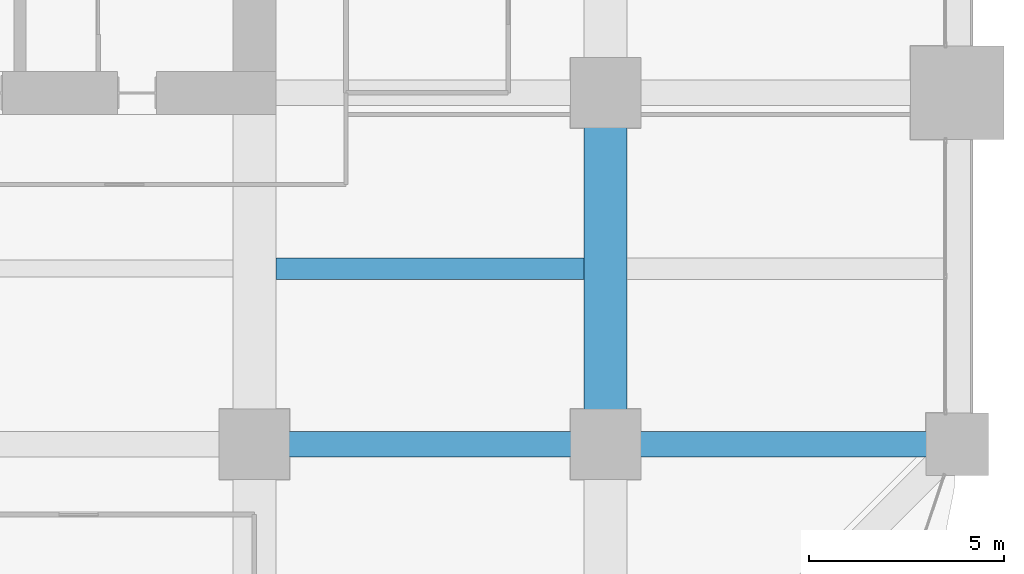
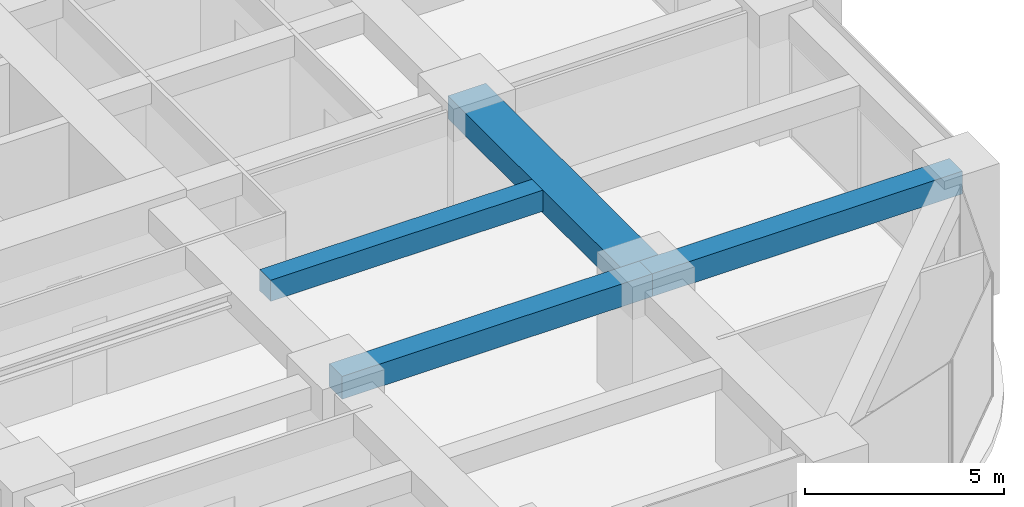
# One storey, part 18 of 39: 4 beams.
"""IFC4 building model written with IfcOpenShell, lengths in metres."""

from ifc_helpers import new_model, si_unit, direction, frame, origin, origin_2d, place, context, subcontext, project, spatial, rectangle, extrude, material, material_profile, profile_set, type_object, element, save


model = new_model("IFC4")

# Units and contexts
model_context = context("Model", 3, precision=1e-05, world=origin(), true_north=direction((0.0, 1.0)))
body_context = subcontext(model_context, "Body", "Model", "MODEL_VIEW")
ifc_project = project(units=[si_unit("LENGTHUNIT", "METRE"), si_unit("AREAUNIT", "SQUARE_METRE"), si_unit("VOLUMEUNIT", "CUBIC_METRE"), si_unit("PLANEANGLEUNIT", "RADIAN"), si_unit("MASSUNIT", "GRAM", prefix="KILO")], contexts=[model_context])

# Site, building, storey
site_placement = place(None, origin())
site = spatial("IfcSite", under=ifc_project, at=site_placement, CompositionType="ELEMENT")
building_placement = place(site_placement, origin())
building = spatial("IfcBuilding", under=site, at=building_placement, Name="Zorevar Civic Tower", CompositionType="ELEMENT")
storey_placement = place(building_placement, frame((0.0, 0.0, 125.0)))
storey = spatial("IfcBuildingStorey", under=building, at=storey_placement, Name="L30", CompositionType="ELEMENT", Elevation=125.0)

# Beams
ifc_material_1 = material(Name="Concrete C50/60", Category="concrete")
ifc_material_profile_1 = material_profile(ifc_material_1, rectangle(XDim=1.10009765625, YDim=0.699951171875, at=origin_2d()), Name="RC 1100x700")
ifc_profile_set_1 = profile_set([ifc_material_profile_1], Name="Concrete C50/60")
beam_type_1 = type_object("IfcBeamType", Name="Beam RC 1100x700", PredefinedType="BEAM", material=ifc_profile_set_1)
beam_1_placement = place(storey_placement, frame((54.0, 9.0, 3.39990234375), z_axis=(0.0, 1.0, 0.0), x_axis=(-1.0, 0.0, 0.0)))
element("IfcBeam", 1, at=beam_1_placement, inside=storey, type_object=beam_type_1, Name="Girder L31", PredefinedType="BEAM", context=body_context, shape_type="SweptSolid", body=[
    extrude(rectangle(XDim=1.10009765625, YDim=0.699951171875, at=origin_2d()), origin(), (0.0, 0.0, 1.0), 9.0),
])
ifc_material_2 = material(Name="Concrete C50/60", Category="concrete")
ifc_material_profile_2 = material_profile(ifc_material_2, rectangle(XDim=0.550048828125, YDim=0.64990234375, at=origin_2d()), Name="RC 550x650")
ifc_profile_set_2 = profile_set([ifc_material_profile_2], Name="Concrete C50/60")
beam_type_2 = type_object("IfcBeamType", Name="Beam RC 550x650", PredefinedType="BEAM", material=ifc_profile_set_2)
beam_2_placement = place(storey_placement, frame((45.550048828125, 13.5, 3.425048828125), z_axis=(1.0, 0.0, 0.0), x_axis=(0.0, 1.0, 0.0)))
element("IfcBeam", 2, at=beam_2_placement, inside=storey, type_object=beam_type_2, Name="Secondary beam L31", PredefinedType="BEAM", context=body_context, shape_type="SweptSolid", body=[
    extrude(rectangle(XDim=0.550048828125, YDim=0.64990234375, at=origin_2d()), origin(), (0.0, 0.0, 1.0), 7.89990234375),
])
ifc_material_3 = material(Name="Concrete C50/60", Category="concrete")
ifc_material_profile_3 = material_profile(ifc_material_3, rectangle(XDim=0.64990234375, YDim=0.699951171875, at=origin_2d()), Name="RC 650x700")
ifc_profile_set_3 = profile_set([ifc_material_profile_3], Name="Concrete C50/60")
beam_type_3 = type_object("IfcBeamType", Name="Beam RC 650x700", PredefinedType="BEAM", material=ifc_profile_set_3)
for number, where, z_axis, x_axis, name in (
    (3, (45.0, 9.0, 3.39990234375), (1.0, 0.0, 0.0), (0.0, 1.0, 0.0), "Girder L31"),
    (4, (54.0, 9.0, 3.39990234375), (1.0, 0.0, 0.0), (0.0, 1.0, 0.0), "Girder L31"),
):
    element("IfcBeam", number, at=place(storey_placement, frame(where, z_axis=z_axis, x_axis=x_axis)), inside=storey, type_object=beam_type_3, Name=name, PredefinedType="BEAM", context=body_context, shape_type="SweptSolid", body=[
        extrude(rectangle(XDim=0.64990234375, YDim=0.699951171875, at=origin_2d()), origin(), (0.0, 0.0, 1.0), 9.0),
    ])

save(model, "model.ifc")
